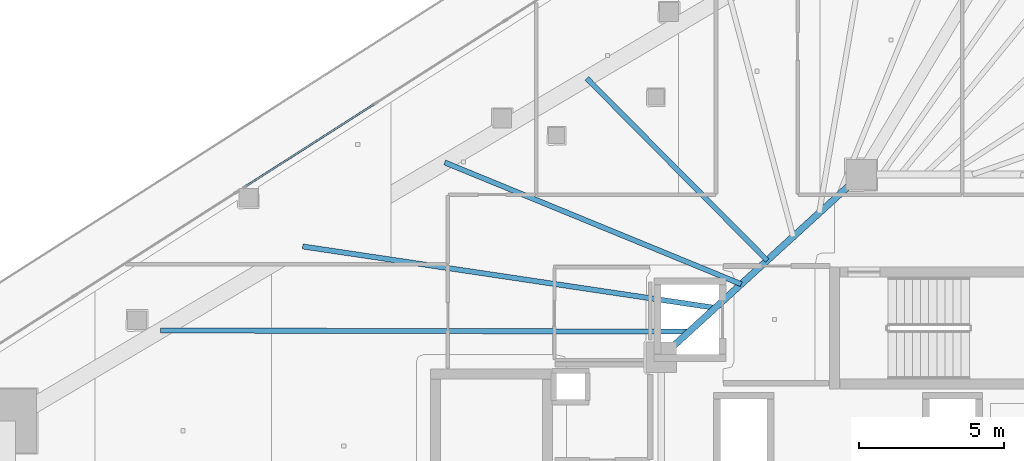
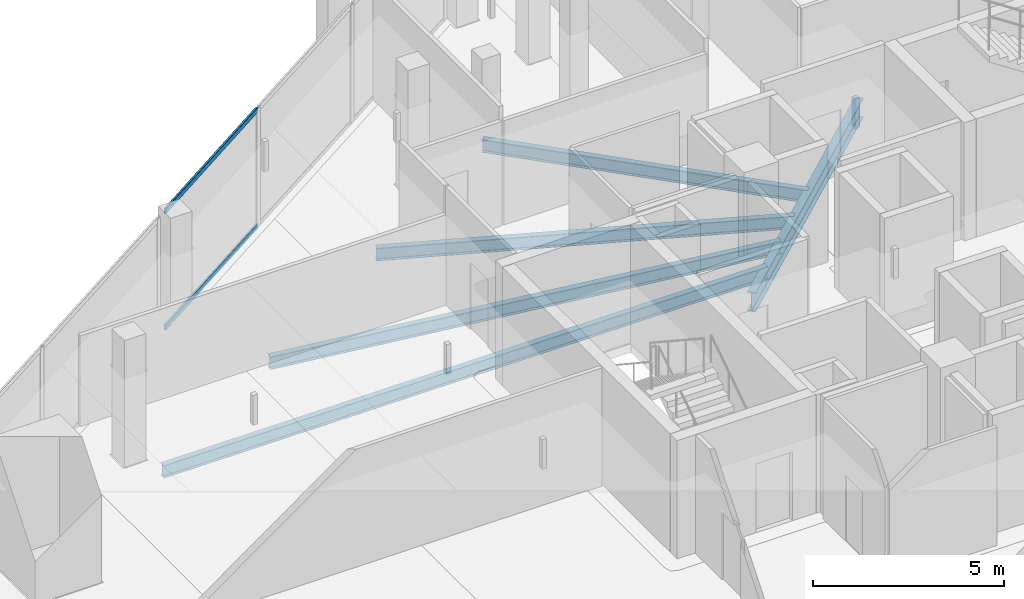
# One storey, part 15 of 38: 5 beams, 2 members, 1 element without a shape of its own.
"""IFC4 building model written with IfcOpenShell, lengths in metres."""

from ifc_helpers import new_model, si_unit, direction, frame, origin, origin_2d, place, context, subcontext, project, spatial, hollow_rectangle, i_section, extrude, material, layer, layer_set, material_profile, profile_set, type_object, element, aggregate, save


model = new_model("IFC4")

# Units and contexts
model_context = context("Model", 3, precision=1e-05, world=origin(), true_north=direction((0.0, 1.0)))
body_context = subcontext(model_context, "Body", "Model", "MODEL_VIEW")
ifc_project = project(units=[si_unit("LENGTHUNIT", "METRE"), si_unit("AREAUNIT", "SQUARE_METRE"), si_unit("VOLUMEUNIT", "CUBIC_METRE"), si_unit("PLANEANGLEUNIT", "RADIAN"), si_unit("MASSUNIT", "GRAM", prefix="KILO")], contexts=[model_context])

# Site, building, storey
site_placement = place(None, origin())
site = spatial("IfcSite", under=ifc_project, at=site_placement, CompositionType="ELEMENT")
building_placement = place(site_placement, origin())
building = spatial("IfcBuilding", under=site, at=building_placement, Name="Qorvath Tower", CompositionType="ELEMENT")
storey_placement = place(building_placement, frame((0.0, 0.0, 158.39990234375)))
storey = spatial("IfcBuildingStorey", under=building, at=storey_placement, Name="L36", CompositionType="ELEMENT", Elevation=158.39990234375)

# Beams
ifc_material_1 = material(Name="Steel ASTM A992 Grade 50", Category="steel")
ifc_material_profile_1 = material_profile(ifc_material_1, i_section(OverallWidth=0.22998046875, OverallDepth=0.616943359375, WebThickness=0.01318359375, FlangeThickness=0.022216796875, FilletRadius=0.014892578125, at=origin_2d()), Name="W24x94")
ifc_profile_set_1 = profile_set([ifc_material_profile_1], Name="Steel ASTM A992 Grade 50")
beam_type_1 = type_object("IfcBeamType", Name="BM-FG6", PredefinedType="BEAM", material=ifc_profile_set_1)
beam_1_placement = place(storey_placement, frame((-30.5, 5.14990234375, -0.57861328125), z_axis=(0.73847813985, 0.6742774184, 0.0), x_axis=(-0.6742774184, 0.73847813985, 0.0)))
element("IfcBeam", 1, at=beam_1_placement, inside=storey, type_object=beam_type_1, Name="Core Ring Girder CC5-CC1 L36", PredefinedType="BEAM", context=body_context, shape_type="SweptSolid", body=[
    extrude(i_section(OverallWidth=0.22998046875, OverallDepth=0.616943359375, WebThickness=0.01318359375, FlangeThickness=0.022216796875, FilletRadius=0.014892578125, at=origin_2d()), origin(), (0.0, 0.0, 1.0), 9.343505859375),
])
ifc_material_2 = material(Name="Steel ASTM A992 Grade 50", Category="steel")
ifc_material_profile_2 = material_profile(ifc_material_2, i_section(OverallWidth=0.177978515625, OverallDepth=0.406005859375, WebThickness=0.0078125, FlangeThickness=0.0126953125, FilletRadius=0.010986328125, at=origin_2d()), Name="W16x40")
ifc_profile_set_2 = profile_set([ifc_material_profile_2], Name="Steel ASTM A992 Grade 50")
beam_type_2 = type_object("IfcBeamType", Name="BM-FJ3", PredefinedType="JOIST", material=ifc_profile_set_2)
beam_2_placement = place(storey_placement, frame((-29.533935546875, 6.031982421875, -0.472900390625), z_axis=(-0.999997589883, 0.002195501951, 0.0), x_axis=(-0.002195501951, -0.999997589883, 0.0)))
element("IfcBeam", 2, at=beam_2_placement, inside=storey, type_object=beam_type_2, Name="Composite Floor Joist NW1 L36", PredefinedType="JOIST", context=body_context, shape_type="SweptSolid", body=[
    extrude(i_section(OverallWidth=0.177978515625, OverallDepth=0.406005859375, WebThickness=0.0078125, FlangeThickness=0.0126953125, FilletRadius=0.010986328125, at=origin_2d()), origin(), (0.0, 0.0, 1.0), 18.23681640625),
])
beam_3_placement = place(storey_placement, frame((-28.636962890625, 6.85107421875, -0.472900390625), z_axis=(-0.989092860328, 0.147293291256, 0.0), x_axis=(-0.147293291256, -0.989092860328, 0.0)))
element("IfcBeam", 3, at=beam_3_placement, inside=storey, type_object=beam_type_2, Name="Composite Floor Joist NW2 L36", PredefinedType="JOIST", context=body_context, shape_type="SweptSolid", body=[
    extrude(i_section(OverallWidth=0.177978515625, OverallDepth=0.406005859375, WebThickness=0.0078125, FlangeThickness=0.0126953125, FilletRadius=0.010986328125, at=origin_2d()), origin(), (0.0, 0.0, 1.0), 14.388916015625),
])
beam_4_placement = place(storey_placement, frame((-27.739990234375, 7.669921875, -0.472900390625), z_axis=(-0.925068176006, 0.379801092338, 0.0), x_axis=(-0.379801092338, -0.925068176006, 0.0)))
element("IfcBeam", 4, at=beam_4_placement, inside=storey, type_object=beam_type_2, Name="Composite Floor Joist NW3 L36", PredefinedType="JOIST", context=body_context, shape_type="SweptSolid", body=[
    extrude(i_section(OverallWidth=0.177978515625, OverallDepth=0.406005859375, WebThickness=0.0078125, FlangeThickness=0.0126953125, FilletRadius=0.010986328125, at=origin_2d()), origin(), (0.0, 0.0, 1.0), 11.0556640625),
])
beam_5_placement = place(storey_placement, frame((-26.843017578125, 8.489013671875, -0.472900390625), z_axis=(-0.70395121362, 0.710248328997, 0.0), x_axis=(-0.710248328997, -0.70395121362, 0.0)))
element("IfcBeam", 5, at=beam_5_placement, inside=storey, type_object=beam_type_2, Name="Composite Floor Joist NW4 L36", PredefinedType="JOIST", context=body_context, shape_type="SweptSolid", body=[
    extrude(i_section(OverallWidth=0.177978515625, OverallDepth=0.406005859375, WebThickness=0.0078125, FlangeThickness=0.0126953125, FilletRadius=0.010986328125, at=origin_2d()), origin(), (0.0, 0.0, 1.0), 8.839599609375),
])

# Curtain wall, members
ifc_material_3 = material(Name="Anodised aluminium and triple low-E glass", Category="aluminium")
ifc_layer = layer(ifc_material_3, 0.179931640625)
ifc_layer_set = layer_set([ifc_layer], Name="CW-SYS-5")
curtain_wall_type = type_object("IfcCurtainWallType", Name="CW-SYS-5", PredefinedType="NOTDEFINED", material=ifc_layer_set)
curtain_wall_placement = place(storey_placement, origin())
curtain_wall = element("IfcCurtainWall", 6, at=curtain_wall_placement, inside=storey, type_object=curtain_wall_type, Name="Curtain Wall CW-5 CW-T-L36-16.2", PredefinedType="NOTDEFINED")
ifc_material_4 = material(Name="Anodised aluminium 6063-T6", Category="aluminium")
ifc_material_profile_3 = material_profile(ifc_material_4, hollow_rectangle(XDim=0.06494140625, YDim=0.159912109375, WallThickness=0.00341796875, InnerFilletRadius=0.00341796875, OuterFilletRadius=0.007080078125, at=origin_2d()), Name="CWT 160x65")
ifc_profile_set_3 = profile_set([ifc_material_profile_3], Name="Anodised aluminium 6063-T6")
member_type = type_object("IfcMemberType", Name="CWT-160", PredefinedType="USERDEFINED", material=ifc_profile_set_3)
member_1_placement = place(storey_placement, frame((-40.4091796875, 13.87548828125, 0.032470703125), z_axis=(-0.842595515544, -0.538546931275, 0.0), x_axis=(0.538546931275, -0.842595515544, 0.0)))
member_1 = element("IfcMember", 7, at=member_1_placement, type_object=member_type, Name="CW-5 transom 3.1", ObjectType="TRANSOM", PredefinedType="USERDEFINED", context=body_context, shape_type="SweptSolid", body=[
    extrude(hollow_rectangle(XDim=0.06494140625, YDim=0.159912109375, WallThickness=0.00341796875, InnerFilletRadius=0.00341796875, OuterFilletRadius=0.007080078125, at=origin_2d()), origin(), (0.0, 0.0, 1.0), 5.223388671875),
])
member_2_placement = place(storey_placement, frame((-40.4091796875, 13.87548828125, 3.74755859375), z_axis=(-0.842595515544, -0.538546931275, 0.0), x_axis=(0.538546931275, -0.842595515544, 0.0)))
member_2 = element("IfcMember", 8, at=member_2_placement, type_object=member_type, Name="CW-5 transom 3.2", ObjectType="TRANSOM", PredefinedType="USERDEFINED", context=body_context, shape_type="SweptSolid", body=[
    extrude(hollow_rectangle(XDim=0.06494140625, YDim=0.159912109375, WallThickness=0.00341796875, InnerFilletRadius=0.00341796875, OuterFilletRadius=0.007080078125, at=origin_2d()), origin(), (0.0, 0.0, 1.0), 5.223388671875),
])
aggregate(curtain_wall, [member_1, member_2])

save(model, "model.ifc")
